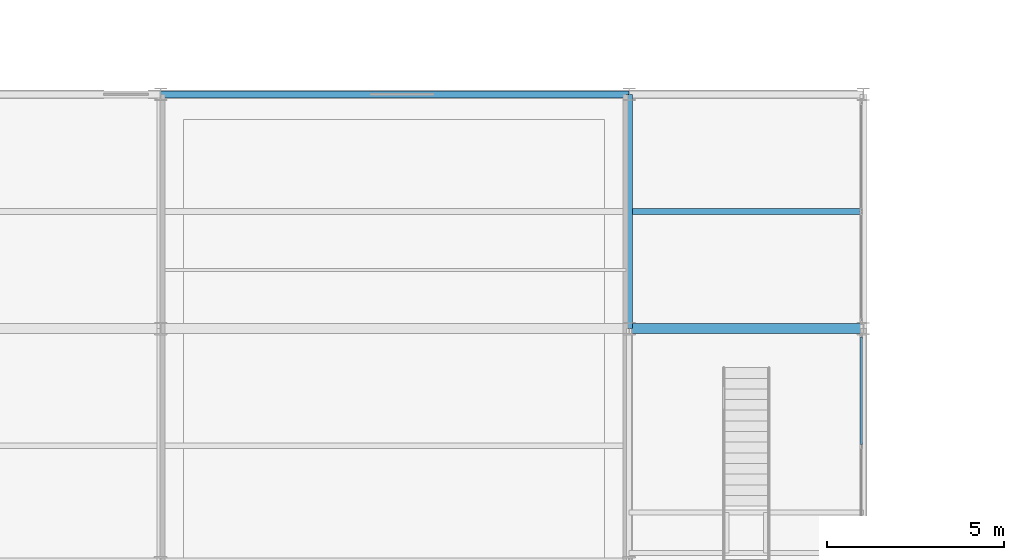
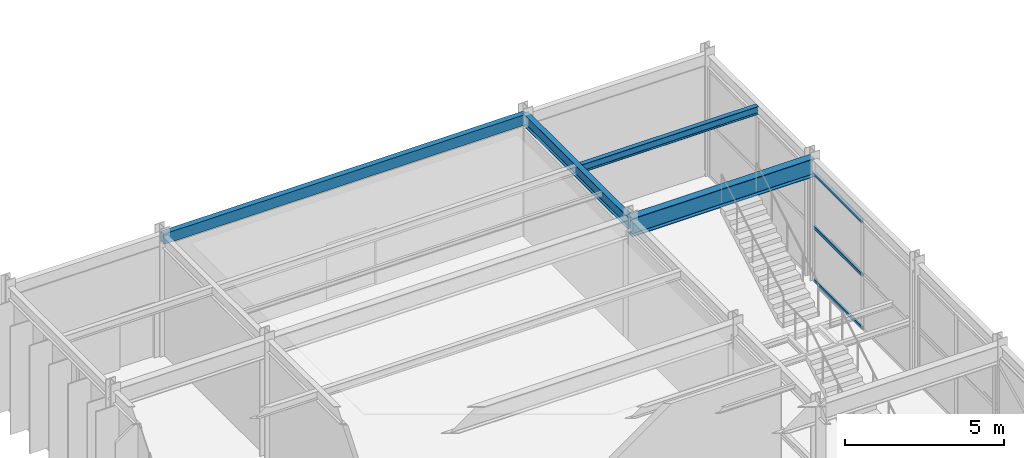
# One storey, part 73 of 144: 4 beams, 3 members, 1 element without a shape of its own.
"""IFC4 building model written with IfcOpenShell, lengths in metres."""

from ifc_helpers import new_model, si_unit, direction, frame, origin, origin_2d, place, context, subcontext, project, spatial, hollow_rectangle, i_section, extrude, material, material_profile, profile_set, type_object, element, aggregate, save


model = new_model("IFC4")

# Units and contexts
model_context = context("Model", 3, precision=1e-05, world=origin(), true_north=direction((0.0, 1.0)))
body_context = subcontext(model_context, "Body", "Model", "MODEL_VIEW")
ifc_project = project(units=[si_unit("LENGTHUNIT", "METRE"), si_unit("AREAUNIT", "SQUARE_METRE"), si_unit("VOLUMEUNIT", "CUBIC_METRE"), si_unit("PLANEANGLEUNIT", "RADIAN"), si_unit("MASSUNIT", "GRAM", prefix="KILO")], contexts=[model_context])

# Site, building, storey
site_placement = place(None, origin())
site = spatial("IfcSite", under=ifc_project, at=site_placement, CompositionType="ELEMENT")
building_placement = place(site_placement, origin())
building = spatial("IfcBuilding", under=site, at=building_placement, Name="Karori Crest Natural Sciences Institute", CompositionType="ELEMENT")
storey_placement = place(building_placement, origin())
storey = spatial("IfcBuildingStorey", under=building, at=storey_placement, Name="L00", CompositionType="ELEMENT", Elevation=0.0)

# Beams
ifc_material_1 = material(Name="Structural steel AS/NZS 3679.1 Grade 350", Category="steel")
ifc_material_profile_1 = material_profile(ifc_material_1, i_section(OverallWidth=0.27490234375, OverallDepth=0.699951171875, WebThickness=0.010009765625, FlangeThickness=0.02001953125, FilletRadius=0.013916015625, at=origin_2d()), Name="700WB150")
ifc_profile_set_1 = profile_set([ifc_material_profile_1], Name="Structural steel AS/NZS 3679.1 Grade 350")
beam_type_1 = type_object("IfcBeamType", Name="BT-03", PredefinedType="BEAM", material=ifc_profile_set_1)
beam_1_placement = place(storey_placement, frame((20.60009765625, 66.800048828125, 4.27001953125), z_axis=(1.0, 0.0, 0.0), x_axis=(0.0, 1.0, 0.0)))
element("IfcBeam", 1, at=beam_1_placement, inside=storey, type_object=beam_type_1, Name="Beam B-0956", PredefinedType="BEAM", context=body_context, shape_type="SweptSolid", body=[
    extrude(i_section(OverallWidth=0.27490234375, OverallDepth=0.699951171875, WebThickness=0.010009765625, FlangeThickness=0.02001953125, FilletRadius=0.013916015625, at=origin_2d()), origin(), (0.0, 0.0, 1.0), 6.599853515625),
])
ifc_material_profile_2 = material_profile(ifc_material_1, i_section(OverallWidth=0.19091796875, OverallDepth=0.4599609375, WebThickness=0.010009765625, FlangeThickness=0.01611328125, FilletRadius=0.010986328125, at=origin_2d()), Name="460UB82.1")
ifc_profile_set_2 = profile_set([ifc_material_profile_2], Name="Structural steel AS/NZS 3679.1 Grade 350")
beam_type_2 = type_object("IfcBeamType", Name="BT-06", PredefinedType="BEAM", material=ifc_profile_set_2)
beam_2_placement = place(storey_placement, frame((20.60009765625, 66.800048828125, 4.389892578125), z_axis=(0.0, 1.0, 0.0), x_axis=(-1.0, 0.0, 0.0)))
element("IfcBeam", 2, at=beam_2_placement, inside=storey, type_object=beam_type_2, Name="Beam B-0980", PredefinedType="BEAM", context=body_context, shape_type="SweptSolid", body=[
    extrude(i_section(OverallWidth=0.19091796875, OverallDepth=0.4599609375, WebThickness=0.010009765625, FlangeThickness=0.01611328125, FilletRadius=0.010986328125, at=origin_2d()), origin(), (0.0, 0.0, 1.0), 6.599853515625),
])
ifc_material_profile_3 = material_profile(ifc_material_1, i_section(OverallWidth=0.166015625, OverallDepth=0.306884765625, WebThickness=0.006591796875, FlangeThickness=0.01171875, FilletRadius=0.010986328125, at=origin_2d()), Name="310UB46.2")
ifc_profile_set_3 = profile_set([ifc_material_profile_3], Name="Structural steel AS/NZS 3679.1 Grade 350")
beam_type_3 = type_object("IfcBeamType", Name="BT-09", PredefinedType="BEAM", material=ifc_profile_set_3)
beam_3_placement = place(storey_placement, frame((20.695556640625, 70.10009765625, 4.466552734375), z_axis=(1.0, 0.0, 0.0), x_axis=(0.0, 1.0, 0.0)))
element("IfcBeam", 3, at=beam_3_placement, inside=storey, type_object=beam_type_3, Name="Beam B-1007", PredefinedType="BEAM", context=body_context, shape_type="SweptSolid", body=[
    extrude(i_section(OverallWidth=0.166015625, OverallDepth=0.306884765625, WebThickness=0.006591796875, FlangeThickness=0.01171875, FilletRadius=0.010986328125, at=origin_2d()), origin(), (0.0, 0.0, 1.0), 6.408935546875),
])
ifc_material_2 = material(Name="Hollow structural steel AS/NZS 1163 Grade C350", Category="steel")
ifc_material_profile_4 = material_profile(ifc_material_2, hollow_rectangle(XDim=0.199951171875, YDim=0.39990234375, WallThickness=0.012451171875, at=origin_2d()), Name="RHS400x200x12.5")
ifc_profile_set_4 = profile_set([ifc_material_profile_4], Name="Hollow structural steel AS/NZS 1163 Grade C350")
beam_type_4 = type_object("IfcBeamType", Name="BT-14", PredefinedType="SPANDREL", material=ifc_profile_set_4)
beam_4_placement = place(storey_placement, frame((7.39990234375, 73.39990234375, 4.419921875), z_axis=(1.0, 0.0, 0.0), x_axis=(0.0, 1.0, 0.0)))
element("IfcBeam", 4, at=beam_4_placement, inside=storey, type_object=beam_type_4, Name="Beam B-0958", PredefinedType="SPANDREL", context=body_context, shape_type="SweptSolid", body=[
    extrude(hollow_rectangle(XDim=0.199951171875, YDim=0.39990234375, WallThickness=0.012451171875, at=origin_2d()), origin(), (0.0, 0.0, 1.0), 13.2001953125),
])

# Curtain wall, members
ifc_material_3 = material(Name="Anodised architectural aluminium 6063-T6", Category="aluminium")
curtain_wall_type = type_object("IfcCurtainWallType", Name="CWT-18", PredefinedType="NOTDEFINED", material=ifc_material_3)
curtain_wall_placement = place(storey_placement, origin())
curtain_wall = element("IfcCurtainWall", 5, at=curtain_wall_placement, inside=storey, type_object=curtain_wall_type, Name="Curtain wall CW-0260", PredefinedType="NOTDEFINED")
ifc_material_profile_5 = material_profile(ifc_material_3, hollow_rectangle(XDim=0.06005859375, YDim=0.1201171875, WallThickness=0.00390625, at=origin_2d()), Name="CWT120x60x4")
ifc_profile_set_5 = profile_set([ifc_material_profile_5], Name="Anodised architectural aluminium 6063-T6")
member_type = type_object("IfcMemberType", Name="CWT-TR1", PredefinedType="USERDEFINED", material=ifc_profile_set_5)
member_1_placement = place(storey_placement, frame((27.139892578125, 66.56201171875, 0.030029296875), z_axis=(0.0, -1.0, 0.0), x_axis=(1.0, 0.0, 0.0)))
member_1 = element("IfcMember", 6, at=member_1_placement, type_object=member_type, Name="CW-0260 transom 1.1", ObjectType="TRANSOM", PredefinedType="USERDEFINED", context=body_context, shape_type="SweptSolid", body=[
    extrude(hollow_rectangle(XDim=0.06005859375, YDim=0.1201171875, WallThickness=0.00390625, at=origin_2d()), origin(), (0.0, 0.0, 1.0), 3.029541015625),
])
member_2_placement = place(storey_placement, frame((27.139892578125, 66.56201171875, 2.072509765625), z_axis=(0.0, -1.0, 0.0), x_axis=(1.0, 0.0, 0.0)))
member_2 = element("IfcMember", 7, at=member_2_placement, type_object=member_type, Name="CW-0260 transom 1.2", ObjectType="TRANSOM", PredefinedType="USERDEFINED", context=body_context, shape_type="SweptSolid", body=[
    extrude(hollow_rectangle(XDim=0.06005859375, YDim=0.1201171875, WallThickness=0.00390625, at=origin_2d()), origin(), (0.0, 0.0, 1.0), 3.029541015625),
])
member_3_placement = place(storey_placement, frame((27.139892578125, 66.56201171875, 4.114990234375), z_axis=(0.0, -1.0, 0.0), x_axis=(1.0, 0.0, 0.0)))
member_3 = element("IfcMember", 8, at=member_3_placement, type_object=member_type, Name="CW-0260 transom 1.3", ObjectType="TRANSOM", PredefinedType="USERDEFINED", context=body_context, shape_type="SweptSolid", body=[
    extrude(hollow_rectangle(XDim=0.06005859375, YDim=0.1201171875, WallThickness=0.00390625, at=origin_2d()), origin(), (0.0, 0.0, 1.0), 3.029541015625),
])
aggregate(curtain_wall, [member_1, member_2, member_3])

save(model, "model.ifc")
